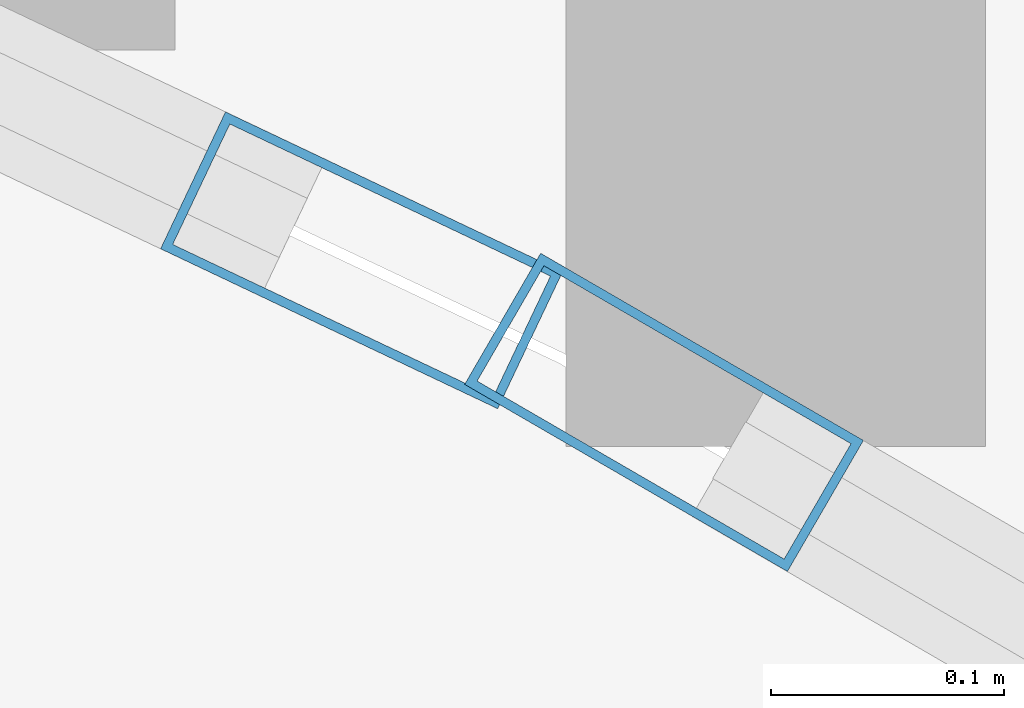
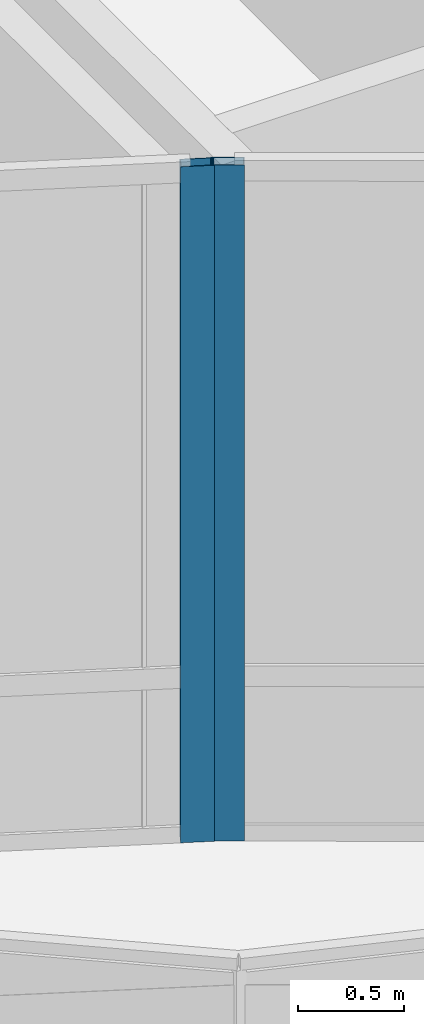
# One storey, part 121 of 184: 2 members, 2 elements without a shape of their own.
"""IFC4 building model written with IfcOpenShell, lengths in metres."""

from ifc_helpers import new_model, si_unit, direction, frame, origin, origin_2d, place, context, subcontext, project, spatial, hollow_rectangle, extrude, material, material_profile, profile_set, type_object, element, aggregate, save


model = new_model("IFC4")

# Units and contexts
model_context = context("Model", 3, precision=1e-05, world=origin(), true_north=direction((0.0, 1.0)))
body_context = subcontext(model_context, "Body", "Model", "MODEL_VIEW")
ifc_project = project(units=[si_unit("LENGTHUNIT", "METRE"), si_unit("AREAUNIT", "SQUARE_METRE"), si_unit("VOLUMEUNIT", "CUBIC_METRE"), si_unit("PLANEANGLEUNIT", "RADIAN"), si_unit("MASSUNIT", "GRAM", prefix="KILO")], contexts=[model_context])

# Site, building, storey
site_placement = place(None, origin())
site = spatial("IfcSite", under=ifc_project, at=site_placement, CompositionType="ELEMENT")
building_placement = place(site_placement, origin())
building = spatial("IfcBuilding", under=site, at=building_placement, Name="Selatvlak General Hospital", CompositionType="ELEMENT")
storey_placement = place(building_placement, frame((0.0, 0.0, 15.0)))
storey = spatial("IfcBuildingStorey", under=building, at=storey_placement, Name="L03", CompositionType="ELEMENT", Elevation=15.0)

# Curtain wall, member
ifc_material_1 = material(Name="Solar-control Low-E double glazing", Category="glass")
curtain_wall_type_1 = type_object("IfcCurtainWallType", Name="CW-CW-02", PredefinedType="USERDEFINED", material=ifc_material_1)
curtain_wall_1_placement = place(storey_placement, origin())
curtain_wall_1 = element("IfcCurtainWall", 1, at=curtain_wall_1_placement, inside=storey, type_object=curtain_wall_type_1, Name="Glazed facade curtain wall CW-L03-0398", ObjectType="UNITISED CURTAIN WALL", PredefinedType="USERDEFINED")
ifc_material_2 = material(Name="Dark anodised aluminium mullion", Category="aluminium")
ifc_material_profile = material_profile(ifc_material_2, hollow_rectangle(XDim=0.06494140625, YDim=0.159912109375, WallThickness=0.00390625, at=origin_2d()), Name="AL-MUL 65x160x4")
ifc_profile_set = profile_set([ifc_material_profile], Name="Dark anodised aluminium mullion")
member_type = type_object("IfcMemberType", Name="CWM-01", PredefinedType="MULLION", material=ifc_profile_set)
member_1_placement = place(storey_placement, frame((157.4921875, 49.667724609375, 0.0), z_axis=(0.0, 0.0, 1.0), x_axis=(-0.501491093657, -0.865162807212, 0.0)))
member_1 = element("IfcMember", 2, at=member_1_placement, type_object=member_type, Name="CW-02 mullion 2", PredefinedType="MULLION", context=body_context, shape_type="SweptSolid", body=[
    extrude(hollow_rectangle(XDim=0.06494140625, YDim=0.159912109375, WallThickness=0.00390625, at=origin_2d()), origin(), (0.0, 0.0, 1.0), 3.89501953125),
])
aggregate(curtain_wall_1, [member_1])

curtain_wall_type_2 = type_object("IfcCurtainWallType", Name="CW-CW-01", PredefinedType="USERDEFINED", material=ifc_material_1)
curtain_wall_2_placement = place(storey_placement, origin())
curtain_wall_2 = element("IfcCurtainWall", 3, at=curtain_wall_2_placement, inside=storey, type_object=curtain_wall_type_2, Name="Glazed facade curtain wall CW-L03-0399", ObjectType="UNITISED CURTAIN WALL", PredefinedType="USERDEFINED")
member_2_placement = place(storey_placement, frame((157.362548828125, 49.73291015625, 0.0), z_axis=(0.0, 0.0, 1.0), x_axis=(-0.428525558966, -0.903529659343, 0.0)))
member_2 = element("IfcMember", 4, at=member_2_placement, type_object=member_type, Name="CW-01 mullion 1", PredefinedType="MULLION", context=body_context, shape_type="SweptSolid", body=[
    extrude(hollow_rectangle(XDim=0.06494140625, YDim=0.159912109375, WallThickness=0.00390625, at=origin_2d()), origin(), (0.0, 0.0, 1.0), 3.89501953125),
])
aggregate(curtain_wall_2, [member_2])

save(model, "model.ifc")
